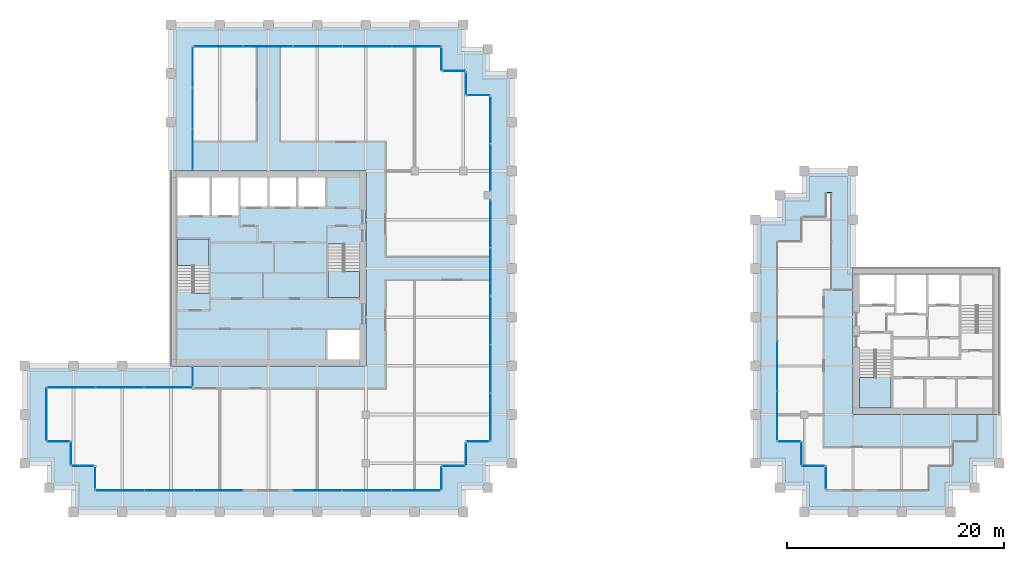
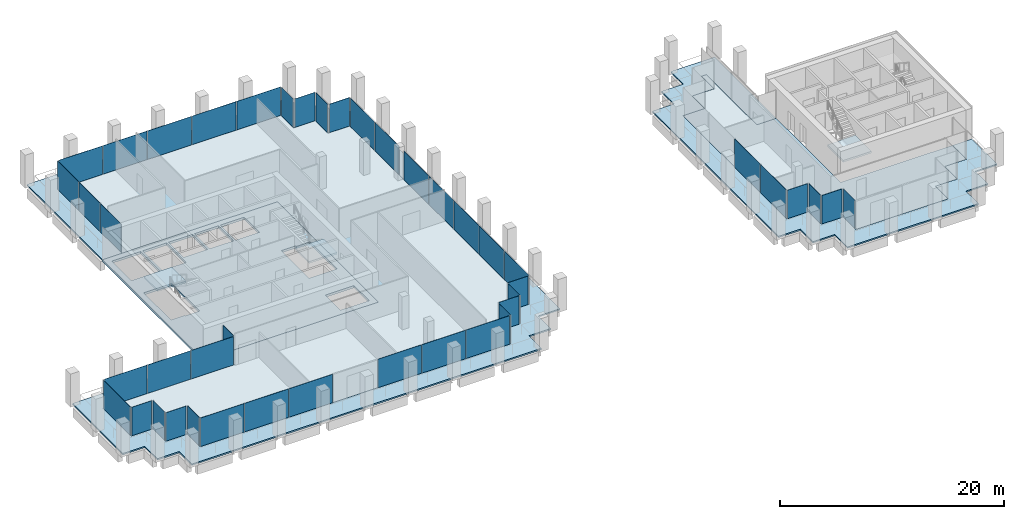
# One storey, part 34 of 40: 44 plates, 8 slabs, 29 elements without a shape of their own.
"""IFC4 building model written with IfcOpenShell, lengths in metres."""

from ifc_helpers import new_model, si_unit, direction, frame, origin, origin_2d, place, context, subcontext, project, spatial, polyline, rectangle, outline, extrude, material, layer, layer_set, type_object, element, aggregate, save


model = new_model("IFC4")

# Units and contexts
model_context = context("Model", 3, precision=1e-05, world=origin(), true_north=direction((0.0, 1.0)))
body_context = subcontext(model_context, "Body", "Model", "MODEL_VIEW")
ifc_project = project(units=[si_unit("LENGTHUNIT", "METRE"), si_unit("AREAUNIT", "SQUARE_METRE"), si_unit("VOLUMEUNIT", "CUBIC_METRE"), si_unit("PLANEANGLEUNIT", "RADIAN"), si_unit("MASSUNIT", "GRAM", prefix="KILO")], contexts=[model_context])

# Site, building, storey
site_placement = place(None, origin())
site = spatial("IfcSite", under=ifc_project, at=site_placement, CompositionType="ELEMENT")
building_placement = place(site_placement, origin())
building = spatial("IfcBuilding", under=site, at=building_placement, Name="Altepetl Exchange Towers", CompositionType="ELEMENT")
storey_placement = place(building_placement, frame((0.0, 0.0, 154.60009765625)))
storey = spatial("IfcBuildingStorey", under=building, at=storey_placement, Name="L38", CompositionType="ELEMENT", Elevation=154.60009765625)

# Slabs
ifc_material_1 = material(Name="Concrete C40/50", Category="concrete")
ifc_layer_1 = layer(ifc_material_1, 0.14990234375)
ifc_layer_set_1 = layer_set([ifc_layer_1], Name="Concrete C40/50")
slab_type_1 = type_object("IfcSlabType", Name="Composite floor slab 150", PredefinedType="FLOOR", material=ifc_layer_set_1)
slab_1_placement = place(storey_placement, frame((0.0, 0.0, -0.150146484375)))
element("IfcSlab", 1, at=slab_1_placement, inside=storey, type_object=slab_type_1, Name="slab:A:L38:strip0", PredefinedType="FLOOR", context=body_context, shape_type="SweptSolid", body=[
    extrude(outline(polyline([(42.5, 70.0), (42.5, 58.5), (58.5, 58.5), (58.5, 40.5), (42.5, 40.5), (42.5, 38.5), (29.0, 38.5), (29.0, 33.5), (31.25, 33.5), (31.25, 31.25), (33.5, 31.25), (33.5, 29.0), (65.5, 29.0), (65.5, 31.25), (67.75, 31.25), (67.75, 33.5), (70.0, 33.5), (70.0, 65.5), (67.75, 65.5), (67.75, 67.75), (65.5, 67.75), (65.5, 70.0), (42.5, 70.0)])), origin(), (0.0, 0.0, 1.0), 0.150146484375),
])
slab_2_placement = place(storey_placement, frame((0.0, 0.0, -0.150146484375)))
element("IfcSlab", 2, at=slab_2_placement, inside=storey, type_object=slab_type_1, Name="slab:B:L38:strip0", PredefinedType="FLOOR", context=body_context, shape_type="SweptSolid", body=[
    extrude(outline(polyline([(98.75, 31.25), (101.0, 31.25), (101.0, 29.0), (110.5, 29.0), (110.5, 31.25), (112.75, 31.25), (112.75, 33.5), (115.0, 33.5), (115.0, 36.0), (103.5, 36.0), (103.5, 47.5), (101.5, 47.5), (101.5, 56.5), (101.0, 56.5), (101.0, 54.25), (98.75, 54.25), (98.75, 52.0), (96.5, 52.0), (96.5, 33.5), (98.75, 33.5), (98.75, 31.25)])), origin(), (0.0, 0.0, 1.0), 0.150146484375),
])
ifc_layer_2 = layer(ifc_material_1, 0.25)
ifc_layer_set_2 = layer_set([ifc_layer_2], Name="Concrete C40/50")
slab_type_2 = type_object("IfcSlabType", Name="Core floor slab 250", PredefinedType="FLOOR", material=ifc_layer_set_2)
slab_3_placement = place(storey_placement, frame((0.0, 0.0, -0.25)))
element("IfcSlab", 3, at=slab_3_placement, inside=storey, type_object=slab_type_2, Name="slab:A:L38:core0", PredefinedType="FLOOR", context=body_context, shape_type="SweptSolid", body=[
    extrude(outline(polyline([(40.5, 40.5), (58.5, 40.5), (58.5, 58.5), (40.5, 58.5), (40.5, 40.5)]), holes=[polyline([(54.93310546875, 43.800048828125), (57.89990234375, 43.800048828125), (57.89990234375, 41.10009765625), (54.93310546875, 41.10009765625), (54.93310546875, 43.800048828125)]), polyline([(55.0, 51.7490234375), (56.5, 51.7490234375), (56.5, 51.64990234375), (57.89990234375, 51.64990234375), (57.89990234375, 46.800048828125), (55.0, 46.800048828125), (55.0, 51.7490234375)]), polyline([(44.0, 47.2509765625), (42.5, 47.2509765625), (42.5, 47.35009765625), (41.10009765625, 47.35009765625), (41.10009765625, 52.199951171875), (44.0, 52.199951171875), (44.0, 47.2509765625)]), polyline([(41.10009765625, 57.89990234375), (44.06689453125, 57.89990234375), (44.06689453125, 54.39990234375), (41.10009765625, 54.39990234375), (41.10009765625, 57.89990234375)]), polyline([(44.26708984375, 57.89990234375), (46.73291015625, 57.89990234375), (46.73291015625, 54.39990234375), (44.26708984375, 54.39990234375), (44.26708984375, 57.89990234375)]), polyline([(46.93310546875, 57.89990234375), (49.39990234375, 57.89990234375), (49.39990234375, 55.199951171875), (46.93310546875, 55.199951171875), (46.93310546875, 57.89990234375)]), polyline([(49.60009765625, 57.89990234375), (52.06689453125, 57.89990234375), (52.06689453125, 55.199951171875), (49.60009765625, 55.199951171875), (49.60009765625, 57.89990234375)]), polyline([(52.26708984375, 57.89990234375), (54.73291015625, 57.89990234375), (54.73291015625, 55.199951171875), (52.26708984375, 55.199951171875), (52.26708984375, 57.89990234375)])]), origin(), (0.0, 0.0, 1.0), 0.25),
])

# Curtain wall, plate
ifc_material_2 = material(Name="Aluminium 6063-T6 glazing", Category="aluminium")
curtain_wall_type = type_object("IfcCurtainWallType", Name="Loggia glazing system", PredefinedType="NOTDEFINED", material=ifc_material_2)
curtain_wall_1_placement = place(storey_placement, origin())
curtain_wall_1 = element("IfcCurtainWall", 4, at=curtain_wall_1_placement, inside=storey, type_object=curtain_wall_type, Name="CW1 run", PredefinedType="NOTDEFINED")
ifc_material_3 = material(Name="Glass 6-16-6 low emissivity", Category="glass")
ifc_layer_3 = layer(ifc_material_3, 0.028076171875)
ifc_layer_set_3 = layer_set([ifc_layer_3], Name="Glass 6-16-6 low emissivity")
plate_type = type_object("IfcPlateType", Name="Glass panel 28 double glazed", PredefinedType="CURTAIN_PANEL", material=ifc_layer_set_3)
plate_1_placement = place(storey_placement, frame((42.5, 39.53759765625, -0.000244140625), z_axis=(0.0, 0.0, 1.0), x_axis=(0.0, -1.0, 0.0)))
plate_1 = element("IfcPlate", 5, at=plate_1_placement, type_object=plate_type, Name="GP1 panel", PredefinedType="CURTAIN_PANEL", context=body_context, shape_type="SweptSolid", body=[
    extrude(rectangle(XDim=1.804931640625, YDim=0.028076171875, at=origin_2d()), origin(), (0.0, 0.0, 1.0), 3.10009765625),
])
aggregate(curtain_wall_1, [plate_1])

# Curtain wall, plates
curtain_wall_2_placement = place(storey_placement, origin())
curtain_wall_2 = element("IfcCurtainWall", 6, at=curtain_wall_2_placement, inside=storey, type_object=curtain_wall_type, Name="CW1 run", PredefinedType="NOTDEFINED")
plate_2_placement = place(storey_placement, frame((40.24755859375, 38.5, -0.000244140625), z_axis=(0.0, 0.0, 1.0), x_axis=(-1.0, 0.0, 0.0)))
plate_2 = element("IfcPlate", 7, at=plate_2_placement, type_object=plate_type, Name="GP1 panel", PredefinedType="CURTAIN_PANEL", context=body_context, shape_type="SweptSolid", body=[
    extrude(rectangle(XDim=4.385009765625, YDim=0.028076171875, at=origin_2d()), origin(), (0.0, 0.0, 1.0), 3.10009765625),
])
plate_3_placement = place(storey_placement, frame((35.78759765625, 38.5, -0.000244140625), z_axis=(0.0, 0.0, 1.0), x_axis=(-1.0, 0.0, 0.0)))
plate_3 = element("IfcPlate", 8, at=plate_3_placement, type_object=plate_type, Name="GP1 panel", PredefinedType="CURTAIN_PANEL", context=body_context, shape_type="SweptSolid", body=[
    extrude(rectangle(XDim=4.4150390625, YDim=0.028076171875, at=origin_2d()), origin(), (0.0, 0.0, 1.0), 3.10009765625),
])
plate_4_placement = place(storey_placement, frame((31.327392578125, 38.5, -0.000244140625), z_axis=(0.0, 0.0, 1.0), x_axis=(-1.0, 0.0, 0.0)))
plate_4 = element("IfcPlate", 9, at=plate_4_placement, type_object=plate_type, Name="GP1 panel", PredefinedType="CURTAIN_PANEL", context=body_context, shape_type="SweptSolid", body=[
    extrude(rectangle(XDim=4.385009765625, YDim=0.028076171875, at=origin_2d()), origin(), (0.0, 0.0, 1.0), 3.10009765625),
])
aggregate(curtain_wall_2, [plate_2, plate_3, plate_4])

# Curtain wall, plate
curtain_wall_3_placement = place(storey_placement, origin())
curtain_wall_3 = element("IfcCurtainWall", 10, at=curtain_wall_3_placement, inside=storey, type_object=curtain_wall_type, Name="CW1 run", PredefinedType="NOTDEFINED")
plate_5_placement = place(storey_placement, frame((29.0, 36.03759765625, -0.000244140625), z_axis=(0.0, 0.0, 1.0), x_axis=(0.0, -1.0, 0.0)))
plate_5 = element("IfcPlate", 11, at=plate_5_placement, type_object=plate_type, Name="GP1 panel", PredefinedType="CURTAIN_PANEL", context=body_context, shape_type="SweptSolid", body=[
    extrude(rectangle(XDim=4.804931640625, YDim=0.028076171875, at=origin_2d()), origin(), (0.0, 0.0, 1.0), 3.10009765625),
])
aggregate(curtain_wall_3, [plate_5])

curtain_wall_4_placement = place(storey_placement, origin())
curtain_wall_4 = element("IfcCurtainWall", 12, at=curtain_wall_4_placement, inside=storey, type_object=curtain_wall_type, Name="CW1 run", PredefinedType="NOTDEFINED")
plate_6_placement = place(storey_placement, frame((30.08740234375, 33.5, -0.000244140625)))
plate_6 = element("IfcPlate", 13, at=plate_6_placement, type_object=plate_type, Name="GP1 panel", PredefinedType="CURTAIN_PANEL", context=body_context, shape_type="SweptSolid", body=[
    extrude(rectangle(XDim=2.054931640625, YDim=0.028076171875, at=origin_2d()), origin(), (0.0, 0.0, 1.0), 3.10009765625),
])
aggregate(curtain_wall_4, [plate_6])

curtain_wall_5_placement = place(storey_placement, origin())
curtain_wall_5 = element("IfcCurtainWall", 14, at=curtain_wall_5_placement, inside=storey, type_object=curtain_wall_type, Name="CW1 run", PredefinedType="NOTDEFINED")
plate_7_placement = place(storey_placement, frame((31.25, 32.41259765625, -0.000244140625), z_axis=(0.0, 0.0, 1.0), x_axis=(0.0, -1.0, 0.0)))
plate_7 = element("IfcPlate", 15, at=plate_7_placement, type_object=plate_type, Name="GP1 panel", PredefinedType="CURTAIN_PANEL", context=body_context, shape_type="SweptSolid", body=[
    extrude(rectangle(XDim=2.054931640625, YDim=0.028076171875, at=origin_2d()), origin(), (0.0, 0.0, 1.0), 3.10009765625),
])
aggregate(curtain_wall_5, [plate_7])

curtain_wall_6_placement = place(storey_placement, origin())
curtain_wall_6 = element("IfcCurtainWall", 16, at=curtain_wall_6_placement, inside=storey, type_object=curtain_wall_type, Name="CW1 run", PredefinedType="NOTDEFINED")
plate_8_placement = place(storey_placement, frame((32.33740234375, 31.25, -0.000244140625)))
plate_8 = element("IfcPlate", 17, at=plate_8_placement, type_object=plate_type, Name="GP1 panel", PredefinedType="CURTAIN_PANEL", context=body_context, shape_type="SweptSolid", body=[
    extrude(rectangle(XDim=2.054931640625, YDim=0.028076171875, at=origin_2d()), origin(), (0.0, 0.0, 1.0), 3.10009765625),
])
aggregate(curtain_wall_6, [plate_8])

curtain_wall_7_placement = place(storey_placement, origin())
curtain_wall_7 = element("IfcCurtainWall", 18, at=curtain_wall_7_placement, inside=storey, type_object=curtain_wall_type, Name="CW1 run", PredefinedType="NOTDEFINED")
plate_9_placement = place(storey_placement, frame((33.5, 30.16259765625, -0.000244140625), z_axis=(0.0, 0.0, 1.0), x_axis=(0.0, -1.0, 0.0)))
plate_9 = element("IfcPlate", 19, at=plate_9_placement, type_object=plate_type, Name="GP1 panel", PredefinedType="CURTAIN_PANEL", context=body_context, shape_type="SweptSolid", body=[
    extrude(rectangle(XDim=2.054931640625, YDim=0.028076171875, at=origin_2d()), origin(), (0.0, 0.0, 1.0), 3.10009765625),
])
aggregate(curtain_wall_7, [plate_9])

# Curtain wall, plates
curtain_wall_8_placement = place(storey_placement, origin())
curtain_wall_8 = element("IfcCurtainWall", 20, at=curtain_wall_8_placement, inside=storey, type_object=curtain_wall_type, Name="CW1 run", PredefinedType="NOTDEFINED")
plate_10_placement = place(storey_placement, frame((35.79541015625, 29.0, -0.000244140625)))
plate_10 = element("IfcPlate", 21, at=plate_10_placement, type_object=plate_type, Name="GP1 panel", PredefinedType="CURTAIN_PANEL", context=body_context, shape_type="SweptSolid", body=[
    extrude(rectangle(XDim=4.470703125, YDim=0.028076171875, at=origin_2d()), origin(), (0.0, 0.0, 1.0), 3.10009765625),
])
plate_11_placement = place(storey_placement, frame((40.341064453125, 29.0, -0.000244140625)))
plate_11 = element("IfcPlate", 22, at=plate_11_placement, type_object=plate_type, Name="GP1 panel", PredefinedType="CURTAIN_PANEL", context=body_context, shape_type="SweptSolid", body=[
    extrude(rectangle(XDim=4.500732421875, YDim=0.028076171875, at=origin_2d()), origin(), (0.0, 0.0, 1.0), 3.10009765625),
])
plate_12_placement = place(storey_placement, frame((44.88671875, 29.0, -0.000244140625)))
plate_12 = element("IfcPlate", 23, at=plate_12_placement, type_object=plate_type, Name="GP1 panel", PredefinedType="CURTAIN_PANEL", context=body_context, shape_type="SweptSolid", body=[
    extrude(rectangle(XDim=4.470703125, YDim=0.028076171875, at=origin_2d()), origin(), (0.0, 0.0, 1.0), 3.10009765625),
])
aggregate(curtain_wall_8, [plate_10, plate_11, plate_12])

curtain_wall_9_placement = place(storey_placement, origin())
curtain_wall_9 = element("IfcCurtainWall", 24, at=curtain_wall_9_placement, inside=storey, type_object=curtain_wall_type, Name="CW1 run", PredefinedType="NOTDEFINED")
plate_13_placement = place(storey_placement, frame((54.038330078125, 29.0, -0.000244140625)))
plate_13 = element("IfcPlate", 25, at=plate_13_placement, type_object=plate_type, Name="GP1 panel", PredefinedType="CURTAIN_PANEL", context=body_context, shape_type="SweptSolid", body=[
    extrude(rectangle(XDim=4.470703125, YDim=0.028076171875, at=origin_2d()), origin(), (0.0, 0.0, 1.0), 3.10009765625),
])
plate_14_placement = place(storey_placement, frame((58.583984375, 29.0, -0.000244140625)))
plate_14 = element("IfcPlate", 26, at=plate_14_placement, type_object=plate_type, Name="GP1 panel", PredefinedType="CURTAIN_PANEL", context=body_context, shape_type="SweptSolid", body=[
    extrude(rectangle(XDim=4.500732421875, YDim=0.028076171875, at=origin_2d()), origin(), (0.0, 0.0, 1.0), 3.10009765625),
])
plate_15_placement = place(storey_placement, frame((63.129638671875, 29.0, -0.000244140625)))
plate_15 = element("IfcPlate", 27, at=plate_15_placement, type_object=plate_type, Name="GP1 panel", PredefinedType="CURTAIN_PANEL", context=body_context, shape_type="SweptSolid", body=[
    extrude(rectangle(XDim=4.470703125, YDim=0.028076171875, at=origin_2d()), origin(), (0.0, 0.0, 1.0), 3.10009765625),
])
aggregate(curtain_wall_9, [plate_13, plate_14, plate_15])

# Curtain wall, plate
curtain_wall_10_placement = place(storey_placement, origin())
curtain_wall_10 = element("IfcCurtainWall", 28, at=curtain_wall_10_placement, inside=storey, type_object=curtain_wall_type, Name="CW1 run", PredefinedType="NOTDEFINED")
plate_16_placement = place(storey_placement, frame((65.5, 30.08740234375, -0.000244140625), z_axis=(0.0, 0.0, 1.0), x_axis=(0.0, 1.0, 0.0)))
plate_16 = element("IfcPlate", 29, at=plate_16_placement, type_object=plate_type, Name="GP1 panel", PredefinedType="CURTAIN_PANEL", context=body_context, shape_type="SweptSolid", body=[
    extrude(rectangle(XDim=2.054931640625, YDim=0.028076171875, at=origin_2d()), origin(), (0.0, 0.0, 1.0), 3.10009765625),
])
aggregate(curtain_wall_10, [plate_16])

curtain_wall_11_placement = place(storey_placement, origin())
curtain_wall_11 = element("IfcCurtainWall", 30, at=curtain_wall_11_placement, inside=storey, type_object=curtain_wall_type, Name="CW1 run", PredefinedType="NOTDEFINED")
plate_17_placement = place(storey_placement, frame((66.58740234375, 31.25, -0.000244140625)))
plate_17 = element("IfcPlate", 31, at=plate_17_placement, type_object=plate_type, Name="GP1 panel", PredefinedType="CURTAIN_PANEL", context=body_context, shape_type="SweptSolid", body=[
    extrude(rectangle(XDim=2.054931640625, YDim=0.028076171875, at=origin_2d()), origin(), (0.0, 0.0, 1.0), 3.10009765625),
])
aggregate(curtain_wall_11, [plate_17])

curtain_wall_12_placement = place(storey_placement, origin())
curtain_wall_12 = element("IfcCurtainWall", 32, at=curtain_wall_12_placement, inside=storey, type_object=curtain_wall_type, Name="CW1 run", PredefinedType="NOTDEFINED")
plate_18_placement = place(storey_placement, frame((67.75, 32.33740234375, -0.000244140625), z_axis=(0.0, 0.0, 1.0), x_axis=(0.0, 1.0, 0.0)))
plate_18 = element("IfcPlate", 33, at=plate_18_placement, type_object=plate_type, Name="GP1 panel", PredefinedType="CURTAIN_PANEL", context=body_context, shape_type="SweptSolid", body=[
    extrude(rectangle(XDim=2.054931640625, YDim=0.028076171875, at=origin_2d()), origin(), (0.0, 0.0, 1.0), 3.10009765625),
])
aggregate(curtain_wall_12, [plate_18])

curtain_wall_13_placement = place(storey_placement, origin())
curtain_wall_13 = element("IfcCurtainWall", 34, at=curtain_wall_13_placement, inside=storey, type_object=curtain_wall_type, Name="CW1 run", PredefinedType="NOTDEFINED")
plate_19_placement = place(storey_placement, frame((68.83740234375, 33.5, -0.000244140625)))
plate_19 = element("IfcPlate", 35, at=plate_19_placement, type_object=plate_type, Name="GP1 panel", PredefinedType="CURTAIN_PANEL", context=body_context, shape_type="SweptSolid", body=[
    extrude(rectangle(XDim=2.054931640625, YDim=0.028076171875, at=origin_2d()), origin(), (0.0, 0.0, 1.0), 3.10009765625),
])
aggregate(curtain_wall_13, [plate_19])

# Curtain wall, plates
curtain_wall_14_placement = place(storey_placement, origin())
curtain_wall_14 = element("IfcCurtainWall", 36, at=curtain_wall_14_placement, inside=storey, type_object=curtain_wall_type, Name="CW1 run", PredefinedType="NOTDEFINED")
plate_20_placement = place(storey_placement, frame((70.0, 35.7529296875, -0.000244140625), z_axis=(0.0, 0.0, 1.0), x_axis=(0.0, 1.0, 0.0)))
plate_20 = element("IfcPlate", 37, at=plate_20_placement, type_object=plate_type, Name="GP1 panel", PredefinedType="CURTAIN_PANEL", context=body_context, shape_type="SweptSolid", body=[
    extrude(rectangle(XDim=4.385986328125, YDim=0.028076171875, at=origin_2d()), origin(), (0.0, 0.0, 1.0), 3.10009765625),
])
plate_21_placement = place(storey_placement, frame((70.0, 40.214111328125, -0.000244140625), z_axis=(0.0, 0.0, 1.0), x_axis=(0.0, 1.0, 0.0)))
plate_21 = element("IfcPlate", 38, at=plate_21_placement, type_object=plate_type, Name="GP1 panel", PredefinedType="CURTAIN_PANEL", context=body_context, shape_type="SweptSolid", body=[
    extrude(rectangle(XDim=4.416015625, YDim=0.028076171875, at=origin_2d()), origin(), (0.0, 0.0, 1.0), 3.10009765625),
])
plate_22_placement = place(storey_placement, frame((70.0, 44.68994140625, -0.000244140625), z_axis=(0.0, 0.0, 1.0), x_axis=(0.0, 1.0, 0.0)))
plate_22 = element("IfcPlate", 39, at=plate_22_placement, type_object=plate_type, Name="GP1 panel", PredefinedType="CURTAIN_PANEL", context=body_context, shape_type="SweptSolid", body=[
    extrude(rectangle(XDim=4.416015625, YDim=0.028076171875, at=origin_2d()), origin(), (0.0, 0.0, 1.0), 3.10009765625),
])
plate_23_placement = place(storey_placement, frame((70.0, 49.166015625, -0.000244140625), z_axis=(0.0, 0.0, 1.0), x_axis=(0.0, 1.0, 0.0)))
plate_23 = element("IfcPlate", 40, at=plate_23_placement, type_object=plate_type, Name="GP1 panel", PredefinedType="CURTAIN_PANEL", context=body_context, shape_type="SweptSolid", body=[
    extrude(rectangle(XDim=4.416015625, YDim=0.028076171875, at=origin_2d()), origin(), (0.0, 0.0, 1.0), 3.10009765625),
])
plate_24_placement = place(storey_placement, frame((70.0, 53.626953125, -0.000244140625), z_axis=(0.0, 0.0, 1.0), x_axis=(0.0, 1.0, 0.0)))
plate_24 = element("IfcPlate", 41, at=plate_24_placement, type_object=plate_type, Name="GP1 panel", PredefinedType="CURTAIN_PANEL", context=body_context, shape_type="SweptSolid", body=[
    extrude(rectangle(XDim=4.385986328125, YDim=0.028076171875, at=origin_2d()), origin(), (0.0, 0.0, 1.0), 3.10009765625),
])
aggregate(curtain_wall_14, [plate_20, plate_21, plate_22, plate_23, plate_24])

curtain_wall_15_placement = place(storey_placement, origin())
curtain_wall_15 = element("IfcCurtainWall", 42, at=curtain_wall_15_placement, inside=storey, type_object=curtain_wall_type, Name="CW1 run", PredefinedType="NOTDEFINED")
plate_25_placement = place(storey_placement, frame((70.0, 58.836181640625, -0.000244140625), z_axis=(0.0, 0.0, 1.0), x_axis=(0.0, 1.0, 0.0)))
plate_25 = element("IfcPlate", 43, at=plate_25_placement, type_object=plate_type, Name="GP1 panel", PredefinedType="CURTAIN_PANEL", context=body_context, shape_type="SweptSolid", body=[
    extrude(rectangle(XDim=4.3125, YDim=0.028076171875, at=origin_2d()), origin(), (0.0, 0.0, 1.0), 3.10009765625),
])
plate_26_placement = place(storey_placement, frame((70.0, 63.208740234375, -0.000244140625), z_axis=(0.0, 0.0, 1.0), x_axis=(0.0, 1.0, 0.0)))
plate_26 = element("IfcPlate", 44, at=plate_26_placement, type_object=plate_type, Name="GP1 panel", PredefinedType="CURTAIN_PANEL", context=body_context, shape_type="SweptSolid", body=[
    extrude(rectangle(XDim=4.3125, YDim=0.028076171875, at=origin_2d()), origin(), (0.0, 0.0, 1.0), 3.10009765625),
])
aggregate(curtain_wall_15, [plate_25, plate_26])

# Curtain wall, plate
curtain_wall_16_placement = place(storey_placement, origin())
curtain_wall_16 = element("IfcCurtainWall", 45, at=curtain_wall_16_placement, inside=storey, type_object=curtain_wall_type, Name="CW1 run", PredefinedType="NOTDEFINED")
plate_27_placement = place(storey_placement, frame((68.91259765625, 65.5, -0.000244140625), z_axis=(0.0, 0.0, 1.0), x_axis=(-1.0, 0.0, 0.0)))
plate_27 = element("IfcPlate", 46, at=plate_27_placement, type_object=plate_type, Name="GP1 panel", PredefinedType="CURTAIN_PANEL", context=body_context, shape_type="SweptSolid", body=[
    extrude(rectangle(XDim=2.054931640625, YDim=0.028076171875, at=origin_2d()), origin(), (0.0, 0.0, 1.0), 3.10009765625),
])
aggregate(curtain_wall_16, [plate_27])

curtain_wall_17_placement = place(storey_placement, origin())
curtain_wall_17 = element("IfcCurtainWall", 47, at=curtain_wall_17_placement, inside=storey, type_object=curtain_wall_type, Name="CW1 run", PredefinedType="NOTDEFINED")
plate_28_placement = place(storey_placement, frame((67.75, 66.58740234375, -0.000244140625), z_axis=(0.0, 0.0, 1.0), x_axis=(0.0, 1.0, 0.0)))
plate_28 = element("IfcPlate", 48, at=plate_28_placement, type_object=plate_type, Name="GP1 panel", PredefinedType="CURTAIN_PANEL", context=body_context, shape_type="SweptSolid", body=[
    extrude(rectangle(XDim=2.054931640625, YDim=0.028076171875, at=origin_2d()), origin(), (0.0, 0.0, 1.0), 3.10009765625),
])
aggregate(curtain_wall_17, [plate_28])

curtain_wall_18_placement = place(storey_placement, origin())
curtain_wall_18 = element("IfcCurtainWall", 49, at=curtain_wall_18_placement, inside=storey, type_object=curtain_wall_type, Name="CW1 run", PredefinedType="NOTDEFINED")
plate_29_placement = place(storey_placement, frame((66.66259765625, 67.75, -0.000244140625), z_axis=(0.0, 0.0, 1.0), x_axis=(-1.0, 0.0, 0.0)))
plate_29 = element("IfcPlate", 50, at=plate_29_placement, type_object=plate_type, Name="GP1 panel", PredefinedType="CURTAIN_PANEL", context=body_context, shape_type="SweptSolid", body=[
    extrude(rectangle(XDim=2.054931640625, YDim=0.028076171875, at=origin_2d()), origin(), (0.0, 0.0, 1.0), 3.10009765625),
])
aggregate(curtain_wall_18, [plate_29])

curtain_wall_19_placement = place(storey_placement, origin())
curtain_wall_19 = element("IfcCurtainWall", 51, at=curtain_wall_19_placement, inside=storey, type_object=curtain_wall_type, Name="CW1 run", PredefinedType="NOTDEFINED")
plate_30_placement = place(storey_placement, frame((65.5, 68.83740234375, -0.000244140625), z_axis=(0.0, 0.0, 1.0), x_axis=(0.0, 1.0, 0.0)))
plate_30 = element("IfcPlate", 52, at=plate_30_placement, type_object=plate_type, Name="GP1 panel", PredefinedType="CURTAIN_PANEL", context=body_context, shape_type="SweptSolid", body=[
    extrude(rectangle(XDim=2.054931640625, YDim=0.028076171875, at=origin_2d()), origin(), (0.0, 0.0, 1.0), 3.10009765625),
])
aggregate(curtain_wall_19, [plate_30])

# Curtain wall, plates
curtain_wall_20_placement = place(storey_placement, origin())
curtain_wall_20 = element("IfcCurtainWall", 53, at=curtain_wall_20_placement, inside=storey, type_object=curtain_wall_type, Name="CW1 run", PredefinedType="NOTDEFINED")
plate_31_placement = place(storey_placement, frame((63.1923828125, 70.0, -0.000244140625), z_axis=(0.0, 0.0, 1.0), x_axis=(-1.0, 0.0, 0.0)))
plate_31 = element("IfcPlate", 54, at=plate_31_placement, type_object=plate_type, Name="GP1 panel", PredefinedType="CURTAIN_PANEL", context=body_context, shape_type="SweptSolid", body=[
    extrude(rectangle(XDim=4.4951171875, YDim=0.028076171875, at=origin_2d()), origin(), (0.0, 0.0, 1.0), 3.10009765625),
])
plate_32_placement = place(storey_placement, frame((58.62255859375, 70.0, -0.000244140625), z_axis=(0.0, 0.0, 1.0), x_axis=(-1.0, 0.0, 0.0)))
plate_32 = element("IfcPlate", 55, at=plate_32_placement, type_object=plate_type, Name="GP1 panel", PredefinedType="CURTAIN_PANEL", context=body_context, shape_type="SweptSolid", body=[
    extrude(rectangle(XDim=4.52490234375, YDim=0.028076171875, at=origin_2d()), origin(), (0.0, 0.0, 1.0), 3.10009765625),
])
plate_33_placement = place(storey_placement, frame((54.03759765625, 70.0, -0.000244140625), z_axis=(0.0, 0.0, 1.0), x_axis=(-1.0, 0.0, 0.0)))
plate_33 = element("IfcPlate", 56, at=plate_33_placement, type_object=plate_type, Name="GP1 panel", PredefinedType="CURTAIN_PANEL", context=body_context, shape_type="SweptSolid", body=[
    extrude(rectangle(XDim=4.52490234375, YDim=0.028076171875, at=origin_2d()), origin(), (0.0, 0.0, 1.0), 3.10009765625),
])
plate_34_placement = place(storey_placement, frame((49.452392578125, 70.0, -0.000244140625), z_axis=(0.0, 0.0, 1.0), x_axis=(-1.0, 0.0, 0.0)))
plate_34 = element("IfcPlate", 57, at=plate_34_placement, type_object=plate_type, Name="GP1 panel", PredefinedType="CURTAIN_PANEL", context=body_context, shape_type="SweptSolid", body=[
    extrude(rectangle(XDim=4.52490234375, YDim=0.028076171875, at=origin_2d()), origin(), (0.0, 0.0, 1.0), 3.10009765625),
])
plate_35_placement = place(storey_placement, frame((44.882568359375, 70.0, -0.000244140625), z_axis=(0.0, 0.0, 1.0), x_axis=(-1.0, 0.0, 0.0)))
plate_35 = element("IfcPlate", 58, at=plate_35_placement, type_object=plate_type, Name="GP1 panel", PredefinedType="CURTAIN_PANEL", context=body_context, shape_type="SweptSolid", body=[
    extrude(rectangle(XDim=4.4951171875, YDim=0.028076171875, at=origin_2d()), origin(), (0.0, 0.0, 1.0), 3.10009765625),
])
aggregate(curtain_wall_20, [plate_31, plate_32, plate_33, plate_34, plate_35])

curtain_wall_21_placement = place(storey_placement, origin())
curtain_wall_21 = element("IfcCurtainWall", 59, at=curtain_wall_21_placement, inside=storey, type_object=curtain_wall_type, Name="CW1 run", PredefinedType="NOTDEFINED")
plate_36_placement = place(storey_placement, frame((42.5, 68.080810546875, -0.000244140625), z_axis=(0.0, 0.0, 1.0), x_axis=(0.0, -1.0, 0.0)))
plate_36 = element("IfcPlate", 60, at=plate_36_placement, type_object=plate_type, Name="GP1 panel", PredefinedType="CURTAIN_PANEL", context=body_context, shape_type="SweptSolid", body=[
    extrude(rectangle(XDim=3.71826171875, YDim=0.028076171875, at=origin_2d()), origin(), (0.0, 0.0, 1.0), 3.10009765625),
])
plate_37_placement = place(storey_placement, frame((42.5, 64.28759765625, -0.000244140625), z_axis=(0.0, 0.0, 1.0), x_axis=(0.0, -1.0, 0.0)))
plate_37 = element("IfcPlate", 61, at=plate_37_placement, type_object=plate_type, Name="GP1 panel", PredefinedType="CURTAIN_PANEL", context=body_context, shape_type="SweptSolid", body=[
    extrude(rectangle(XDim=3.748291015625, YDim=0.028076171875, at=origin_2d()), origin(), (0.0, 0.0, 1.0), 3.10009765625),
])
plate_38_placement = place(storey_placement, frame((42.5, 60.494140625, -0.000244140625), z_axis=(0.0, 0.0, 1.0), x_axis=(0.0, -1.0, 0.0)))
plate_38 = element("IfcPlate", 62, at=plate_38_placement, type_object=plate_type, Name="GP1 panel", PredefinedType="CURTAIN_PANEL", context=body_context, shape_type="SweptSolid", body=[
    extrude(rectangle(XDim=3.71826171875, YDim=0.028076171875, at=origin_2d()), origin(), (0.0, 0.0, 1.0), 3.10009765625),
])
aggregate(curtain_wall_21, [plate_36, plate_37, plate_38])

# Curtain wall, plate
curtain_wall_22_placement = place(storey_placement, origin())
curtain_wall_22 = element("IfcCurtainWall", 63, at=curtain_wall_22_placement, inside=storey, type_object=curtain_wall_type, Name="CW1 run", PredefinedType="NOTDEFINED")
plate_39_placement = place(storey_placement, frame((101.0, 30.16259765625, -0.000244140625), z_axis=(0.0, 0.0, 1.0), x_axis=(0.0, -1.0, 0.0)))
plate_39 = element("IfcPlate", 64, at=plate_39_placement, type_object=plate_type, Name="GP1 panel", PredefinedType="CURTAIN_PANEL", context=body_context, shape_type="SweptSolid", body=[
    extrude(rectangle(XDim=2.054931640625, YDim=0.028076171875, at=origin_2d()), origin(), (0.0, 0.0, 1.0), 3.10009765625),
])
aggregate(curtain_wall_22, [plate_39])

# Curtain wall, plates
curtain_wall_23_placement = place(storey_placement, origin())
curtain_wall_23 = element("IfcCurtainWall", 65, at=curtain_wall_23_placement, inside=storey, type_object=curtain_wall_type, Name="CW1 run", PredefinedType="NOTDEFINED")
plate_40_placement = place(storey_placement, frame((96.5, 40.484375, -0.000244140625), z_axis=(0.0, 0.0, 1.0), x_axis=(0.0, -1.0, 0.0)))
plate_40 = element("IfcPlate", 66, at=plate_40_placement, type_object=plate_type, Name="GP1 panel", PredefinedType="CURTAIN_PANEL", context=body_context, shape_type="SweptSolid", body=[
    extrude(rectangle(XDim=4.546142578125, YDim=0.028076171875, at=origin_2d()), origin(), (0.0, 0.0, 1.0), 3.10009765625),
])
plate_41_placement = place(storey_placement, frame((96.5, 35.89306640625, -0.000244140625), z_axis=(0.0, 0.0, 1.0), x_axis=(0.0, -1.0, 0.0)))
plate_41 = element("IfcPlate", 67, at=plate_41_placement, type_object=plate_type, Name="GP1 panel", PredefinedType="CURTAIN_PANEL", context=body_context, shape_type="SweptSolid", body=[
    extrude(rectangle(XDim=4.516357421875, YDim=0.028076171875, at=origin_2d()), origin(), (0.0, 0.0, 1.0), 3.10009765625),
])
aggregate(curtain_wall_23, [plate_40, plate_41])

# Curtain wall, plate
curtain_wall_24_placement = place(storey_placement, origin())
curtain_wall_24 = element("IfcCurtainWall", 68, at=curtain_wall_24_placement, inside=storey, type_object=curtain_wall_type, Name="CW1 run", PredefinedType="NOTDEFINED")
plate_42_placement = place(storey_placement, frame((97.58740234375, 33.5, -0.000244140625)))
plate_42 = element("IfcPlate", 69, at=plate_42_placement, type_object=plate_type, Name="GP1 panel", PredefinedType="CURTAIN_PANEL", context=body_context, shape_type="SweptSolid", body=[
    extrude(rectangle(XDim=2.054931640625, YDim=0.028076171875, at=origin_2d()), origin(), (0.0, 0.0, 1.0), 3.10009765625),
])
aggregate(curtain_wall_24, [plate_42])

curtain_wall_25_placement = place(storey_placement, origin())
curtain_wall_25 = element("IfcCurtainWall", 70, at=curtain_wall_25_placement, inside=storey, type_object=curtain_wall_type, Name="CW1 run", PredefinedType="NOTDEFINED")
plate_43_placement = place(storey_placement, frame((98.75, 32.41259765625, -0.000244140625), z_axis=(0.0, 0.0, 1.0), x_axis=(0.0, -1.0, 0.0)))
plate_43 = element("IfcPlate", 71, at=plate_43_placement, type_object=plate_type, Name="GP1 panel", PredefinedType="CURTAIN_PANEL", context=body_context, shape_type="SweptSolid", body=[
    extrude(rectangle(XDim=2.054931640625, YDim=0.028076171875, at=origin_2d()), origin(), (0.0, 0.0, 1.0), 3.10009765625),
])
aggregate(curtain_wall_25, [plate_43])

curtain_wall_26_placement = place(storey_placement, origin())
curtain_wall_26 = element("IfcCurtainWall", 72, at=curtain_wall_26_placement, inside=storey, type_object=curtain_wall_type, Name="CW1 run", PredefinedType="NOTDEFINED")
plate_44_placement = place(storey_placement, frame((99.83740234375, 31.25, -0.000244140625)))
plate_44 = element("IfcPlate", 73, at=plate_44_placement, type_object=plate_type, Name="GP1 panel", PredefinedType="CURTAIN_PANEL", context=body_context, shape_type="SweptSolid", body=[
    extrude(rectangle(XDim=2.054931640625, YDim=0.028076171875, at=origin_2d()), origin(), (0.0, 0.0, 1.0), 3.10009765625),
])
aggregate(curtain_wall_26, [plate_44])

# Slabs
ifc_layer_4 = layer(ifc_material_1, 0.14990234375)
ifc_layer_set_4 = layer_set([ifc_layer_4], Name="Concrete C40/50")
slab_type_3 = type_object("IfcSlabType", Name="Loggia slab 150", PredefinedType="FLOOR", material=ifc_layer_set_4)
slab_4_placement = place(storey_placement, frame((0.0, 0.0, -0.150146484375)))
element("IfcSlab", 74, at=slab_4_placement, inside=storey, type_object=slab_type_3, Name="slab:A:L38:loggia0", PredefinedType="FLOOR", context=body_context, shape_type="SweptSolid", body=[
    extrude(outline(polyline([(40.5, 72.0), (40.5, 58.5), (42.5, 58.5), (42.5, 70.0), (65.5, 70.0), (65.5, 67.75), (67.75, 67.75), (67.75, 65.5), (70.0, 65.5), (70.0, 33.5), (67.75, 33.5), (67.75, 31.25), (65.5, 31.25), (65.5, 29.0), (33.5, 29.0), (33.5, 31.25), (31.25, 31.25), (31.25, 33.5), (29.0, 33.5), (29.0, 38.5), (42.5, 38.5), (42.5, 40.5), (40.5, 40.5), (27.0, 40.5), (27.0, 31.5), (29.25, 31.5), (29.25, 29.25), (31.5, 29.25), (31.5, 27.0), (58.5, 27.0), (67.5, 27.0), (67.5, 29.25), (69.75, 29.25), (69.75, 31.5), (72.0, 31.5), (72.0, 58.5), (72.0, 67.5), (69.75, 67.5), (69.75, 69.75), (67.5, 69.75), (67.5, 72.0), (40.5, 72.0)])), origin(), (0.0, 0.0, 1.0), 0.150146484375),
])
slab_5_placement = place(storey_placement, frame((0.0, 0.0, -0.150146484375)))
element("IfcSlab", 75, at=slab_5_placement, inside=storey, type_object=slab_type_3, Name="slab:B:L38:loggia0", PredefinedType="FLOOR", context=body_context, shape_type="SweptSolid", body=[
    extrude(outline(polyline([(99.0, 29.25), (99.0, 27.0), (112.5, 27.0), (112.5, 29.25), (114.75, 29.25), (114.75, 31.5), (117.0, 31.5), (117.0, 36.0), (115.0, 36.0), (115.0, 33.5), (112.75, 33.5), (112.75, 31.25), (110.5, 31.25), (110.5, 29.0), (101.0, 29.0), (101.0, 31.25), (98.75, 31.25), (98.75, 33.5), (96.5, 33.5), (96.5, 52.0), (98.75, 52.0), (98.75, 54.25), (101.0, 54.25), (101.0, 56.5), (101.5, 56.5), (101.5, 47.5), (103.5, 47.5), (103.5, 49.5), (103.5, 58.5), (99.0, 58.5), (99.0, 56.25), (96.75, 56.25), (96.75, 54.0), (94.5, 54.0), (94.5, 36.0), (94.5, 31.5), (96.75, 31.5), (96.75, 29.25), (99.0, 29.25)])), origin(), (0.0, 0.0, 1.0), 0.150146484375),
])

# Stair, slab
stair_type = type_object("IfcStairType", Name="Exit stair 1400 flights dogleg", PredefinedType="HALF_TURN_STAIR", material=ifc_material_1)
stair_1_placement = place(storey_placement, origin())
stair_1 = element("IfcStair", 76, at=stair_1_placement, inside=storey, type_object=stair_type, Name="Exit stair 1", PredefinedType="HALF_TURN_STAIR")
ifc_layer_5 = layer(ifc_material_1, 0.199951171875)
ifc_layer_set_5 = layer_set([ifc_layer_5], Name="Concrete C40/50")
slab_type_4 = type_object("IfcSlabType", Name="Stair landing 200 reinforced concrete", PredefinedType="LANDING", material=ifc_layer_set_5)
slab_6_placement = place(storey_placement, frame((0.0, 0.0, 1.599853515625)))
slab_6 = element("IfcSlab", 77, at=slab_6_placement, type_object=slab_type_4, Name="ST-A1e landing 1", PredefinedType="LANDING", context=body_context, shape_type="SweptSolid", body=[
    extrude(outline(polyline([(44.0, 49.669921875), (42.60009765625, 49.669921875), (42.60009765625, 49.77001953125), (42.5, 49.77001953125), (42.5, 49.769287109375), (41.10009765625, 49.769287109375), (41.10009765625, 49.77001953125), (41.10009765625, 52.199951171875), (44.0, 52.199951171875), (44.0, 49.77001953125), (44.0, 49.669921875)])), origin(), (0.0, 0.0, 1.0), 0.199951171875),
])
aggregate(stair_1, [slab_6])

stair_2_placement = place(storey_placement, origin())
stair_2 = element("IfcStair", 78, at=stair_2_placement, inside=storey, type_object=stair_type, Name="Exit stair 2", PredefinedType="HALF_TURN_STAIR")
slab_7_placement = place(storey_placement, frame((0.0, 0.0, 1.599853515625)))
slab_7 = element("IfcSlab", 79, at=slab_7_placement, type_object=slab_type_4, Name="ST-A2e landing 1", PredefinedType="LANDING", context=body_context, shape_type="SweptSolid", body=[
    extrude(outline(polyline([(57.89990234375, 46.800048828125), (55.0, 46.800048828125), (55.0, 49.22998046875), (55.0, 49.330078125), (56.39990234375, 49.330078125), (56.39990234375, 49.22998046875), (56.5, 49.22998046875), (56.5, 49.230712890625), (57.89990234375, 49.230712890625), (57.89990234375, 49.22998046875), (57.89990234375, 46.800048828125)])), origin(), (0.0, 0.0, 1.0), 0.199951171875),
])
aggregate(stair_2, [slab_7])

stair_3_placement = place(storey_placement, origin())
stair_3 = element("IfcStair", 80, at=stair_3_placement, inside=storey, type_object=stair_type, Name="Exit stair 1", PredefinedType="HALF_TURN_STAIR")
slab_8_placement = place(storey_placement, frame((0.0, 0.0, 1.599853515625)))
slab_8 = element("IfcSlab", 81, at=slab_8_placement, type_object=slab_type_4, Name="ST-B1e landing 1", PredefinedType="LANDING", context=body_context, shape_type="SweptSolid", body=[
    extrude(outline(polyline([(107.0, 36.60009765625), (104.10009765625, 36.60009765625), (104.10009765625, 39.429931640625), (104.10009765625, 39.4306640625), (105.5, 39.4306640625), (105.5, 39.429931640625), (105.60009765625, 39.429931640625), (105.60009765625, 39.530029296875), (107.0, 39.530029296875), (107.0, 39.429931640625), (107.0, 36.60009765625)])), origin(), (0.0, 0.0, 1.0), 0.199951171875),
])
aggregate(stair_3, [slab_8])

save(model, "model.ifc")
